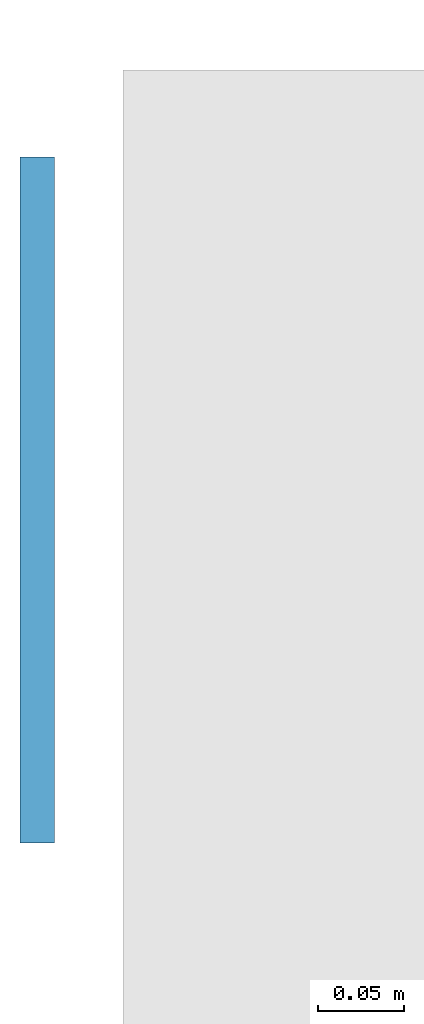
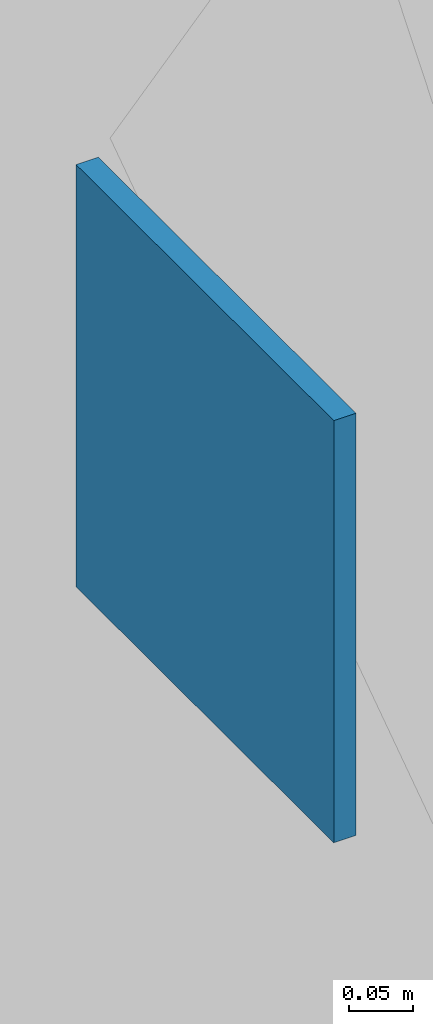
# One storey, part 8 of 16: 1 discrete accessory.
"""IFC4 building model written with IfcOpenShell, lengths in metres."""

from ifc_helpers import new_model, si_unit, direction, frame, origin, origin_2d, place, context, subcontext, project, spatial, rectangle, extrude, material, material_profile, profile_set, type_object, element, save


model = new_model("IFC4")

# Units and contexts
model_context = context("Model", 3, precision=1e-05, world=origin(), true_north=direction((0.0, 1.0)))
body_context = subcontext(model_context, "Body", "Model", "MODEL_VIEW")
ifc_project = project(units=[si_unit("LENGTHUNIT", "METRE"), si_unit("AREAUNIT", "SQUARE_METRE"), si_unit("VOLUMEUNIT", "CUBIC_METRE"), si_unit("PLANEANGLEUNIT", "RADIAN"), si_unit("MASSUNIT", "GRAM", prefix="KILO")], contexts=[model_context])

# Site, building, storey
site_placement = place(None, origin())
site = spatial("IfcSite", under=ifc_project, at=site_placement, CompositionType="ELEMENT")
building_placement = place(site_placement, origin())
building = spatial("IfcBuilding", under=site, at=building_placement, Name="Cypress Arch Tower", CompositionType="ELEMENT")
storey_placement = place(building_placement, frame((0.0, 0.0, 172.800048828125)))
storey = spatial("IfcBuildingStorey", under=building, at=storey_placement, Name="L37", CompositionType="ELEMENT", Elevation=172.800048828125)

# Discrete accessory
ifc_material = material(Name="Steel ASTM A992", Category="steel")
ifc_material_profile = material_profile(ifc_material, rectangle(XDim=0.39990234375, YDim=0.39990234375, at=origin_2d()), Name="PL 20 400x400")
ifc_profile_set = profile_set([ifc_material_profile], Name="Steel ASTM A992")
discrete_accessory_type = type_object("IfcDiscreteAccessoryType", Name="West bracing diagonal end plate 400x400x20 Steel ASTM A992", PredefinedType="ANCHORPLATE", material=ifc_profile_set)
discrete_accessory_placement = place(storey_placement, frame((-31.099609375, -0.25048828125, 2.5126953125), z_axis=(-1.0, 0.0, 0.0), x_axis=(0.0, -1.0, 0.0)))
element("IfcDiscreteAccessory", 1, at=discrete_accessory_placement, inside=storey, type_object=discrete_accessory_type, Name="End plate west bracing diagonal 3B", PredefinedType="ANCHORPLATE", context=body_context, shape_type="SweptSolid", body=[
    extrude(rectangle(XDim=0.39990234375, YDim=0.39990234375, at=origin_2d()), origin(), (0.0, 0.0, 1.0), 0.02001953125),
])

save(model, "model.ifc")
